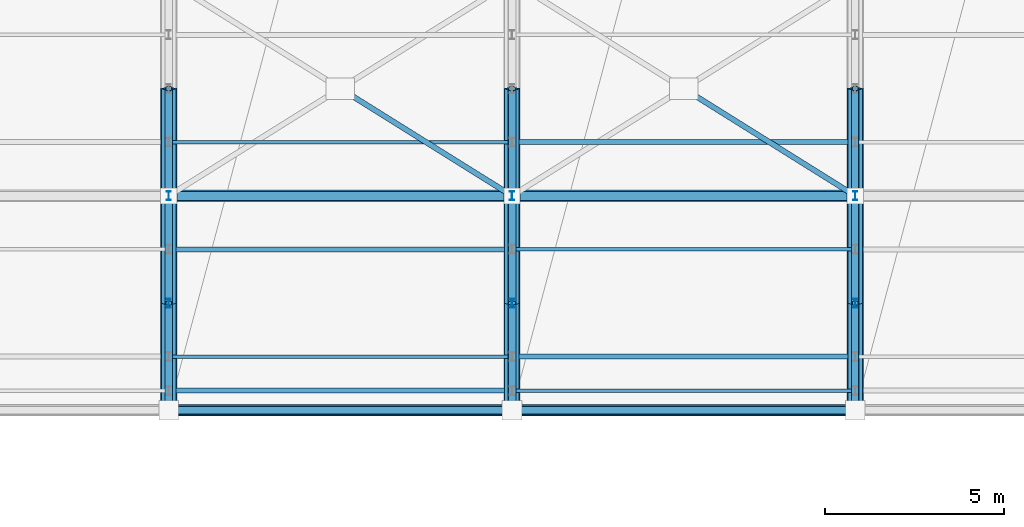
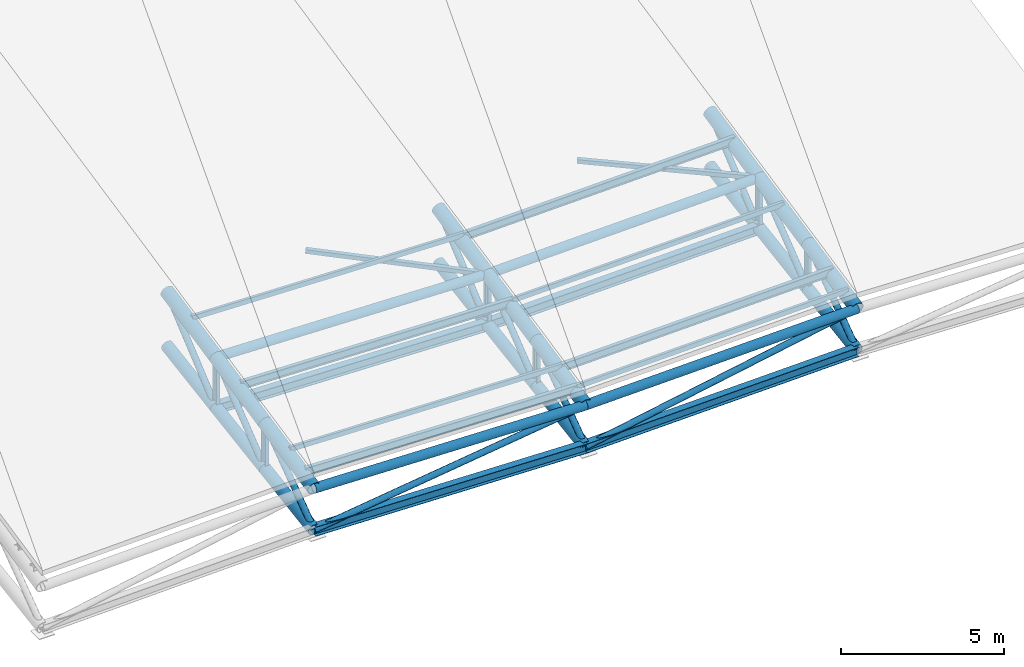
# One storey, part 36 of 109: 35 members, 18 beams.
"""IFC4 building model written with IfcOpenShell, lengths in metres."""

from ifc_helpers import new_model, si_unit, direction, frame, origin, origin_2d, place, context, subcontext, project, spatial, hollow_rectangle, hollow_circle, i_section, extrude, material, material_profile, profile_set, type_object, element, save


model = new_model("IFC4")

# Units and contexts
model_context = context("Model", 3, precision=1e-05, world=origin(), true_north=direction((0.0, 1.0)))
body_context = subcontext(model_context, "Body", "Model", "MODEL_VIEW")
ifc_project = project(units=[si_unit("LENGTHUNIT", "METRE"), si_unit("AREAUNIT", "SQUARE_METRE"), si_unit("VOLUMEUNIT", "CUBIC_METRE"), si_unit("PLANEANGLEUNIT", "RADIAN"), si_unit("MASSUNIT", "GRAM", prefix="KILO")], contexts=[model_context])

# Site, building, storey
site_placement = place(None, origin())
site = spatial("IfcSite", under=ifc_project, at=site_placement, CompositionType="ELEMENT")
building_placement = place(site_placement, origin())
building = spatial("IfcBuilding", under=site, at=building_placement, Name="Suirenkawa Promenade Aquatics Centre", CompositionType="ELEMENT")
storey_placement = place(building_placement, frame((0.0, 0.0, 22.800048828125)))
storey = spatial("IfcBuildingStorey", under=building, at=storey_placement, Name="ROOF", CompositionType="ELEMENT", Elevation=22.800048828125)

# Beams
ifc_material = material(Name="Steel IS 2062 E350 (Grade 350)", Category="steel")
ifc_material_profile_1 = material_profile(ifc_material, hollow_circle(Radius=0.202880859375, WallThickness=0.01806640625, at=origin_2d()), Name="CHS 406x18", Category="steel")
ifc_profile_set_1 = profile_set([ifc_material_profile_1], Name="Steel IS 2062 E350 (Grade 350)")
beam_type_1 = type_object("IfcBeamType", Name="BT-BC-CHS406", PredefinedType="BEAM", material=ifc_profile_set_1)
beam_1_placement = place(storey_placement, frame((165.60009765625, 50.39990234375, -10.330078125), z_axis=(0.0, 0.988146576735, 0.153513331298), x_axis=(-1.0, 0.0, 0.0)))
element("IfcBeam", 1, at=beam_1_placement, inside=storey, type_object=beam_type_1, Name="ROOF TRUSS V2 bottom chord BC-01 BM-2432", PredefinedType="BEAM", context=body_context, shape_type="SweptSolid", body=[
    extrude(hollow_circle(Radius=0.202880859375, WallThickness=0.01806640625, at=origin_2d()), origin(), (0.0, 0.0, 1.0), 3.035888671875),
])
beam_2_placement = place(storey_placement, frame((165.60009765625, 53.39990234375, -9.864013671875), z_axis=(0.0, 0.987852103285, 0.155396982068), x_axis=(-1.0, 0.0, 0.0)))
element("IfcBeam", 2, at=beam_2_placement, inside=storey, type_object=beam_type_1, Name="ROOF TRUSS V2 bottom chord BC-01 BM-2434", PredefinedType="BEAM", context=body_context, shape_type="SweptSolid", body=[
    extrude(hollow_circle(Radius=0.202880859375, WallThickness=0.01806640625, at=origin_2d()), origin(), (0.0, 0.0, 1.0), 3.036865234375),
])
beam_3_placement = place(storey_placement, frame((165.60009765625, 56.39990234375, -9.39208984375), z_axis=(0.0, 0.987278169946, 0.15900256334), x_axis=(-1.0, 0.0, 0.0)))
element("IfcBeam", 3, at=beam_3_placement, inside=storey, type_object=beam_type_1, Name="ROOF TRUSS V2 bottom chord BC-01 BM-2436", PredefinedType="BEAM", context=body_context, shape_type="SweptSolid", body=[
    extrude(hollow_circle(Radius=0.202880859375, WallThickness=0.01806640625, at=origin_2d()), origin(), (0.0, 0.0, 1.0), 3.03857421875),
])
beam_4_placement = place(storey_placement, frame((175.199951171875, 50.39990234375, -10.580078125), z_axis=(0.0, 0.988146576735, 0.153513331298), x_axis=(-1.0, 0.0, 0.0)))
element("IfcBeam", 4, at=beam_4_placement, inside=storey, type_object=beam_type_1, Name="ROOF TRUSS V2 bottom chord BC-01 BM-2468", PredefinedType="BEAM", context=body_context, shape_type="SweptSolid", body=[
    extrude(hollow_circle(Radius=0.202880859375, WallThickness=0.01806640625, at=origin_2d()), origin(), (0.0, 0.0, 1.0), 3.035888671875),
])
beam_5_placement = place(storey_placement, frame((175.199951171875, 53.39990234375, -10.114013671875), z_axis=(0.0, 0.987852103285, 0.155396982068), x_axis=(-1.0, 0.0, 0.0)))
element("IfcBeam", 5, at=beam_5_placement, inside=storey, type_object=beam_type_1, Name="ROOF TRUSS V2 bottom chord BC-01 BM-2470", PredefinedType="BEAM", context=body_context, shape_type="SweptSolid", body=[
    extrude(hollow_circle(Radius=0.202880859375, WallThickness=0.01806640625, at=origin_2d()), origin(), (0.0, 0.0, 1.0), 3.036865234375),
])
beam_6_placement = place(storey_placement, frame((175.199951171875, 56.39990234375, -9.64208984375), z_axis=(0.0, 0.987278169946, 0.15900256334), x_axis=(-1.0, 0.0, 0.0)))
element("IfcBeam", 6, at=beam_6_placement, inside=storey, type_object=beam_type_1, Name="ROOF TRUSS V2 bottom chord BC-01 BM-2472", PredefinedType="BEAM", context=body_context, shape_type="SweptSolid", body=[
    extrude(hollow_circle(Radius=0.202880859375, WallThickness=0.01806640625, at=origin_2d()), origin(), (0.0, 0.0, 1.0), 3.03857421875),
])
beam_7_placement = place(storey_placement, frame((184.800048828125, 50.39990234375, -10.330078125), z_axis=(0.0, 0.988146576735, 0.153513331298), x_axis=(-1.0, 0.0, 0.0)))
element("IfcBeam", 7, at=beam_7_placement, inside=storey, type_object=beam_type_1, Name="ROOF TRUSS V2 bottom chord BC-01 BM-2504", PredefinedType="BEAM", context=body_context, shape_type="SweptSolid", body=[
    extrude(hollow_circle(Radius=0.202880859375, WallThickness=0.01806640625, at=origin_2d()), origin(), (0.0, 0.0, 1.0), 3.035888671875),
])
beam_8_placement = place(storey_placement, frame((184.800048828125, 53.39990234375, -9.864013671875), z_axis=(0.0, 0.987852103285, 0.155396982068), x_axis=(-1.0, 0.0, 0.0)))
element("IfcBeam", 8, at=beam_8_placement, inside=storey, type_object=beam_type_1, Name="ROOF TRUSS V2 bottom chord BC-01 BM-2506", PredefinedType="BEAM", context=body_context, shape_type="SweptSolid", body=[
    extrude(hollow_circle(Radius=0.202880859375, WallThickness=0.01806640625, at=origin_2d()), origin(), (0.0, 0.0, 1.0), 3.036865234375),
])
beam_9_placement = place(storey_placement, frame((184.800048828125, 56.39990234375, -9.39208984375), z_axis=(0.0, 0.987278169946, 0.15900256334), x_axis=(-1.0, 0.0, 0.0)))
element("IfcBeam", 9, at=beam_9_placement, inside=storey, type_object=beam_type_1, Name="ROOF TRUSS V2 bottom chord BC-01 BM-2508", PredefinedType="BEAM", context=body_context, shape_type="SweptSolid", body=[
    extrude(hollow_circle(Radius=0.202880859375, WallThickness=0.01806640625, at=origin_2d()), origin(), (0.0, 0.0, 1.0), 3.03857421875),
])
ifc_material_profile_2 = material_profile(ifc_material, hollow_circle(Radius=0.22900390625, WallThickness=0.02001953125, at=origin_2d()), Name="CHS 458x20", Category="steel")
ifc_profile_set_2 = profile_set([ifc_material_profile_2], Name="Steel IS 2062 E350 (Grade 350)")
beam_type_2 = type_object("IfcBeamType", Name="BT-TC-CHS458", PredefinedType="BEAM", material=ifc_profile_set_2)
for number, where, z_axis, x_axis, name in (
    (10, (165.60009765625, 50.39990234375, -8.780029296875), (0.0, 0.978452518953, 0.206471954886), (-1.0, 0.0, 0.0), "ROOF TRUSS V2 top chord TC-01 BM-2431"),
    (11, (165.60009765625, 53.39990234375, -8.14697265625), (0.0, 0.978388130003, 0.206776853322), (-1.0, 0.0, 0.0), "ROOF TRUSS V2 top chord TC-01 BM-2433"),
):
    element("IfcBeam", number, at=place(storey_placement, frame(where, z_axis=z_axis, x_axis=x_axis)), inside=storey, type_object=beam_type_2, Name=name, PredefinedType="BEAM", context=body_context, shape_type="SweptSolid", body=[
        extrude(hollow_circle(Radius=0.22900390625, WallThickness=0.02001953125, at=origin_2d()), origin(), (0.0, 0.0, 1.0), 3.066162109375),
    ])
beam_10_placement = place(storey_placement, frame((165.60009765625, 56.39990234375, -7.512939453125), z_axis=(0.0, 0.978468602667, 0.206395720875), x_axis=(-1.0, 0.0, 0.0)))
element("IfcBeam", 12, at=beam_10_placement, inside=storey, type_object=beam_type_2, Name="ROOF TRUSS V2 top chord TC-01 BM-2435", PredefinedType="BEAM", context=body_context, shape_type="SweptSolid", body=[
    extrude(hollow_circle(Radius=0.22900390625, WallThickness=0.02001953125, at=origin_2d()), origin(), (0.0, 0.0, 1.0), 3.06591796875),
])
for number, where, z_axis, x_axis, name in (
    (13, (175.199951171875, 50.39990234375, -9.030029296875), (0.0, 0.978452518953, 0.206471954886), (-1.0, 0.0, 0.0), "ROOF TRUSS V2 top chord TC-01 BM-2467"),
    (14, (175.199951171875, 53.39990234375, -8.39697265625), (0.0, 0.978388130003, 0.206776853322), (-1.0, 0.0, 0.0), "ROOF TRUSS V2 top chord TC-01 BM-2469"),
):
    element("IfcBeam", number, at=place(storey_placement, frame(where, z_axis=z_axis, x_axis=x_axis)), inside=storey, type_object=beam_type_2, Name=name, PredefinedType="BEAM", context=body_context, shape_type="SweptSolid", body=[
        extrude(hollow_circle(Radius=0.22900390625, WallThickness=0.02001953125, at=origin_2d()), origin(), (0.0, 0.0, 1.0), 3.066162109375),
    ])
beam_11_placement = place(storey_placement, frame((175.199951171875, 56.39990234375, -7.762939453125), z_axis=(0.0, 0.978468602667, 0.206395720875), x_axis=(-1.0, 0.0, 0.0)))
element("IfcBeam", 15, at=beam_11_placement, inside=storey, type_object=beam_type_2, Name="ROOF TRUSS V2 top chord TC-01 BM-2471", PredefinedType="BEAM", context=body_context, shape_type="SweptSolid", body=[
    extrude(hollow_circle(Radius=0.22900390625, WallThickness=0.02001953125, at=origin_2d()), origin(), (0.0, 0.0, 1.0), 3.06591796875),
])
for number, where, z_axis, x_axis, name in (
    (16, (184.800048828125, 50.39990234375, -8.780029296875), (0.0, 0.978452518953, 0.206471954886), (-1.0, 0.0, 0.0), "ROOF TRUSS V2 top chord TC-01 BM-2503"),
    (17, (184.800048828125, 53.39990234375, -8.14697265625), (0.0, 0.978388130003, 0.206776853322), (-1.0, 0.0, 0.0), "ROOF TRUSS V2 top chord TC-01 BM-2505"),
):
    element("IfcBeam", number, at=place(storey_placement, frame(where, z_axis=z_axis, x_axis=x_axis)), inside=storey, type_object=beam_type_2, Name=name, PredefinedType="BEAM", context=body_context, shape_type="SweptSolid", body=[
        extrude(hollow_circle(Radius=0.22900390625, WallThickness=0.02001953125, at=origin_2d()), origin(), (0.0, 0.0, 1.0), 3.066162109375),
    ])
beam_12_placement = place(storey_placement, frame((184.800048828125, 56.39990234375, -7.512939453125), z_axis=(0.0, 0.978468602667, 0.206395720875), x_axis=(-1.0, 0.0, 0.0)))
element("IfcBeam", 18, at=beam_12_placement, inside=storey, type_object=beam_type_2, Name="ROOF TRUSS V2 top chord TC-01 BM-2507", PredefinedType="BEAM", context=body_context, shape_type="SweptSolid", body=[
    extrude(hollow_circle(Radius=0.22900390625, WallThickness=0.02001953125, at=origin_2d()), origin(), (0.0, 0.0, 1.0), 3.06591796875),
])

# Members
ifc_material_profile_3 = material_profile(ifc_material, hollow_rectangle(XDim=0.14990234375, YDim=0.14990234375, WallThickness=0.008056640625, at=origin_2d()), Name="SHS 150x150x8", Category="steel")
ifc_profile_set_3 = profile_set([ifc_material_profile_3], Name="Steel IS 2062 E350 (Grade 350)")
member_type_1 = type_object("IfcMemberType", Name="MT-BRACE-SHS150", PredefinedType="BRACE", material=ifc_profile_set_3)
member_1_placement = place(storey_placement, frame((175.199951171875, 56.39990234375, -7.762939453125), z_axis=(-0.840537967888, 0.525238593873, 0.132741643974), x_axis=(-0.529928101095, -0.848042574208, 0.0)))
element("IfcMember", 19, at=member_1_placement, inside=storey, type_object=member_type_1, Name="ROOF TRUSS V2 split plan brace A BF-02 MB-1235", PredefinedType="BRACE", context=body_context, shape_type="SweptSolid", body=[
    extrude(hollow_rectangle(XDim=0.14990234375, YDim=0.14990234375, WallThickness=0.008056640625, at=origin_2d()), origin(), (0.0, 0.0, 1.0), 5.626220703125),
])
member_2_placement = place(storey_placement, frame((184.800048828125, 56.39990234375, -7.512939453125), z_axis=(-0.844604024784, 0.527888418671, 0.08931886), x_axis=(-0.530006811934, -0.847993383998, 0.0)))
element("IfcMember", 20, at=member_2_placement, inside=storey, type_object=member_type_1, Name="ROOF TRUSS V2 split plan brace A BF-02 MB-1256", PredefinedType="BRACE", context=body_context, shape_type="SweptSolid", body=[
    extrude(hollow_rectangle(XDim=0.14990234375, YDim=0.14990234375, WallThickness=0.008056640625, at=origin_2d()), origin(), (0.0, 0.0, 1.0), 5.597900390625),
])
ifc_material_profile_4 = material_profile(ifc_material, hollow_circle(Radius=0.162109375, WallThickness=0.013916015625, at=origin_2d()), Name="CHS 324x14", Category="steel")
ifc_profile_set_4 = profile_set([ifc_material_profile_4], Name="Steel IS 2062 E350 (Grade 350)")
member_type_2 = type_object("IfcMemberType", Name="MT-CHORD-CHS324", PredefinedType="CHORD", material=ifc_profile_set_4)
member_3_placement = place(storey_placement, frame((165.60009765625, 50.39990234375, -8.780029296875), z_axis=(0.999661077831, 0.0, -0.026033237804), x_axis=(0.0, 1.0, 0.0)))
element("IfcMember", 21, at=member_3_placement, inside=storey, type_object=member_type_2, Name="ROOF TRUSS V2 eave top chord CH-01 MB-1149", PredefinedType="CHORD", context=body_context, shape_type="SweptSolid", body=[
    extrude(hollow_circle(Radius=0.162109375, WallThickness=0.013916015625, at=origin_2d()), origin(), (0.0, 0.0, 1.0), 9.60302734375),
])
member_4_placement = place(storey_placement, frame((175.199951171875, 50.39990234375, -9.030029296875), z_axis=(0.99966109506, 0.0, 0.0260325762), x_axis=(0.0, 1.0, 0.0)))
element("IfcMember", 22, at=member_4_placement, inside=storey, type_object=member_type_2, Name="ROOF TRUSS V2 eave top chord CH-01 MB-1152", PredefinedType="CHORD", context=body_context, shape_type="SweptSolid", body=[
    extrude(hollow_circle(Radius=0.162109375, WallThickness=0.013916015625, at=origin_2d()), origin(), (0.0, 0.0, 1.0), 9.603271484375),
])
member_5_placement = place(storey_placement, frame((165.60009765625, 56.39990234375, -7.512939453125), z_axis=(0.999661077831, 0.0, -0.026033237804), x_axis=(0.0, 1.0, 0.0)))
element("IfcMember", 23, at=member_5_placement, inside=storey, type_object=member_type_2, Name="ROOF TRUSS V2 tie chord CH-01 MB-1172", PredefinedType="CHORD", context=body_context, shape_type="SweptSolid", body=[
    extrude(hollow_circle(Radius=0.162109375, WallThickness=0.013916015625, at=origin_2d()), origin(), (0.0, 0.0, 1.0), 9.60302734375),
])
member_6_placement = place(storey_placement, frame((175.199951171875, 56.39990234375, -7.762939453125), z_axis=(0.99966109506, 0.0, 0.0260325762), x_axis=(0.0, 1.0, 0.0)))
element("IfcMember", 24, at=member_6_placement, inside=storey, type_object=member_type_2, Name="ROOF TRUSS V2 tie chord CH-01 MB-1174", PredefinedType="CHORD", context=body_context, shape_type="SweptSolid", body=[
    extrude(hollow_circle(Radius=0.162109375, WallThickness=0.013916015625, at=origin_2d()), origin(), (0.0, 0.0, 1.0), 9.603271484375),
])
ifc_material_profile_5 = material_profile(ifc_material, i_section(OverallWidth=0.25, OverallDepth=0.35009765625, WebThickness=0.010009765625, FlangeThickness=0.011962890625, at=origin_2d()), Name="ISHB 350", Category="steel")
ifc_profile_set_5 = profile_set([ifc_material_profile_5], Name="Steel IS 2062 E350 (Grade 350)")
member_type_3 = type_object("IfcMemberType", Name="MT-CHORD-ISHB350", PredefinedType="CHORD", material=ifc_profile_set_5)
member_7_placement = place(storey_placement, frame((165.60009765625, 50.39990234375, -10.330078125), z_axis=(0.999661077831, 0.0, -0.026033237804), x_axis=(0.0, 1.0, 0.0)))
element("IfcMember", 25, at=member_7_placement, inside=storey, type_object=member_type_3, Name="ROOF TRUSS V2 eave bottom chord CH-04 MB-1150", PredefinedType="CHORD", context=body_context, shape_type="SweptSolid", body=[
    extrude(i_section(OverallWidth=0.25, OverallDepth=0.35009765625, WebThickness=0.010009765625, FlangeThickness=0.011962890625, at=origin_2d()), origin(), (0.0, 0.0, 1.0), 9.60302734375),
])
member_8_placement = place(storey_placement, frame((175.199951171875, 50.39990234375, -10.580078125), z_axis=(0.99966109506, 0.0, 0.0260325762), x_axis=(0.0, 1.0, 0.0)))
element("IfcMember", 26, at=member_8_placement, inside=storey, type_object=member_type_3, Name="ROOF TRUSS V2 eave bottom chord CH-04 MB-1153", PredefinedType="CHORD", context=body_context, shape_type="SweptSolid", body=[
    extrude(i_section(OverallWidth=0.25, OverallDepth=0.35009765625, WebThickness=0.010009765625, FlangeThickness=0.011962890625, at=origin_2d()), origin(), (0.0, 0.0, 1.0), 9.603271484375),
])
member_9_placement = place(storey_placement, frame((165.60009765625, 56.39990234375, -9.39208984375), z_axis=(0.999661077831, 0.0, -0.026033237804), x_axis=(0.0, 1.0, 0.0)))
element("IfcMember", 27, at=member_9_placement, inside=storey, type_object=member_type_3, Name="ROOF TRUSS V2 bottom tie CH-04 MB-1173", PredefinedType="CHORD", context=body_context, shape_type="SweptSolid", body=[
    extrude(i_section(OverallWidth=0.25, OverallDepth=0.35009765625, WebThickness=0.010009765625, FlangeThickness=0.011962890625, at=origin_2d()), origin(), (0.0, 0.0, 1.0), 9.60302734375),
])
member_10_placement = place(storey_placement, frame((175.199951171875, 56.39990234375, -9.64208984375), z_axis=(0.99966109506, 0.0, 0.0260325762), x_axis=(0.0, 1.0, 0.0)))
element("IfcMember", 28, at=member_10_placement, inside=storey, type_object=member_type_3, Name="ROOF TRUSS V2 bottom tie CH-04 MB-1175", PredefinedType="CHORD", context=body_context, shape_type="SweptSolid", body=[
    extrude(i_section(OverallWidth=0.25, OverallDepth=0.35009765625, WebThickness=0.010009765625, FlangeThickness=0.011962890625, at=origin_2d()), origin(), (0.0, 0.0, 1.0), 9.603271484375),
])
ifc_material_profile_6 = material_profile(ifc_material, i_section(OverallWidth=0.139892578125, OverallDepth=0.300048828125, WebThickness=0.008056640625, FlangeThickness=0.012939453125, at=origin_2d()), Name="ISMB 300", Category="steel")
ifc_profile_set_6 = profile_set([ifc_material_profile_6], Name="Steel IS 2062 E350 (Grade 350)")
member_type_4 = type_object("IfcMemberType", Name="MT-PURLIN-ISMB300", PredefinedType="PURLIN", material=ifc_profile_set_6)
for number, where, z_axis, x_axis, name in (
    (29, (165.60009765625, 50.949951171875, -8.47802734375), (0.999661077831, 0.0, -0.026033237804), (0.0, 1.0, 0.0), "ROOF TRUSS Roof purlin PU-05 MB-2473"),
    (30, (165.60009765625, 54.89990234375, -7.64404296875), (0.999661077831, 0.0, -0.026033237804), (0.0, 1.0, 0.0), "ROOF TRUSS Roof purlin PU-05 MB-2477"),
):
    element("IfcMember", number, at=place(storey_placement, frame(where, z_axis=z_axis, x_axis=x_axis)), inside=storey, type_object=member_type_4, Name=name, PredefinedType="PURLIN", context=body_context, shape_type="SweptSolid", body=[
        extrude(i_section(OverallWidth=0.139892578125, OverallDepth=0.300048828125, WebThickness=0.008056640625, FlangeThickness=0.012939453125, at=origin_2d()), origin(), (0.0, 0.0, 1.0), 9.60302734375),
    ])
for number, where, z_axis, x_axis, name in (
    (31, (175.199951171875, 51.89990234375, -8.527099609375), (0.99966109506, 0.0, 0.0260325762), (0.0, 1.0, 0.0), "ROOF TRUSS Roof purlin PU-05 MB-2519"),
    (32, (175.199951171875, 57.89990234375, -7.260009765625), (0.99966109506, 0.0, 0.0260325762), (0.0, 1.0, 0.0), "ROOF TRUSS Roof purlin PU-05 MB-2523"),
):
    element("IfcMember", number, at=place(storey_placement, frame(where, z_axis=z_axis, x_axis=x_axis)), inside=storey, type_object=member_type_4, Name=name, PredefinedType="PURLIN", context=body_context, shape_type="SweptSolid", body=[
        extrude(i_section(OverallWidth=0.139892578125, OverallDepth=0.300048828125, WebThickness=0.008056640625, FlangeThickness=0.012939453125, at=origin_2d()), origin(), (0.0, 0.0, 1.0), 9.603271484375),
    ])
ifc_material_profile_7 = material_profile(ifc_material, hollow_rectangle(XDim=0.10009765625, YDim=0.179931640625, WallThickness=0.008056640625, at=origin_2d()), Name="RHS 180x100x8", Category="steel")
ifc_profile_set_7 = profile_set([ifc_material_profile_7], Name="Steel IS 2062 E350 (Grade 350)")
member_type_5 = type_object("IfcMemberType", Name="MT-PURLIN-RHS180", PredefinedType="PURLIN", material=ifc_profile_set_7)
for number, where, z_axis, x_axis, name in (
    (33, (165.60009765625, 51.89990234375, -8.213134765625), (0.999661077831, 0.0, -0.026033237804), (0.0, 1.0, 0.0), "ROOF TRUSS Roof purlin PU-01 MB-2475"),
    (34, (165.60009765625, 57.89990234375, -6.946044921875), (0.999661077831, 0.0, -0.026033237804), (0.0, 1.0, 0.0), "ROOF TRUSS Roof purlin PU-01 MB-2479"),
):
    element("IfcMember", number, at=place(storey_placement, frame(where, z_axis=z_axis, x_axis=x_axis)), inside=storey, type_object=member_type_5, Name=name, PredefinedType="PURLIN", context=body_context, shape_type="SweptSolid", body=[
        extrude(hollow_rectangle(XDim=0.10009765625, YDim=0.179931640625, WallThickness=0.008056640625, at=origin_2d()), origin(), (0.0, 0.0, 1.0), 9.60302734375),
    ])
for number, where, z_axis, x_axis, name in (
    (35, (175.199951171875, 50.949951171875, -8.6630859375), (0.99966109506, 0.0, 0.0260325762), (0.0, 1.0, 0.0), "ROOF TRUSS Roof purlin PU-01 MB-2517"),
    (36, (175.199951171875, 54.89990234375, -7.8291015625), (0.99966109506, 0.0, 0.0260325762), (0.0, 1.0, 0.0), "ROOF TRUSS Roof purlin PU-01 MB-2521"),
):
    element("IfcMember", number, at=place(storey_placement, frame(where, z_axis=z_axis, x_axis=x_axis)), inside=storey, type_object=member_type_5, Name=name, PredefinedType="PURLIN", context=body_context, shape_type="SweptSolid", body=[
        extrude(hollow_rectangle(XDim=0.10009765625, YDim=0.179931640625, WallThickness=0.008056640625, at=origin_2d()), origin(), (0.0, 0.0, 1.0), 9.603271484375),
    ])
ifc_material_profile_8 = material_profile(ifc_material, i_section(OverallWidth=0.125, OverallDepth=0.25, WebThickness=0.007080078125, FlangeThickness=0.012939453125, at=origin_2d()), Name="ISMB 250", Category="steel")
ifc_profile_set_8 = profile_set([ifc_material_profile_8], Name="Steel IS 2062 E350 (Grade 350)")
member_type_6 = type_object("IfcMemberType", Name="MT-WEB-CHS168", PredefinedType="BRACE", material=ifc_profile_set_8)
member_11_placement = place(storey_placement, frame((165.60009765625, 53.39990234375, -9.864013671875), z_axis=(0.0, 0.0, 1.0), x_axis=(1.0, 0.0, 0.0)))
element("IfcMember", 37, at=member_11_placement, inside=storey, type_object=member_type_6, Name="ROOF TRUSS V2 web post TD-03 MB-1024", PredefinedType="BRACE", context=body_context, shape_type="SweptSolid", body=[
    extrude(i_section(OverallWidth=0.125, OverallDepth=0.25, WebThickness=0.007080078125, FlangeThickness=0.012939453125, at=origin_2d()), origin(), (0.0, 0.0, 1.0), 1.717041015625),
])
member_12_placement = place(storey_placement, frame((165.60009765625, 56.39990234375, -9.39208984375), z_axis=(0.0, 0.0, 1.0), x_axis=(1.0, 0.0, 0.0)))
element("IfcMember", 38, at=member_12_placement, inside=storey, type_object=member_type_6, Name="ROOF TRUSS V2 web post TD-03 MB-1025", PredefinedType="BRACE", context=body_context, shape_type="SweptSolid", body=[
    extrude(i_section(OverallWidth=0.125, OverallDepth=0.25, WebThickness=0.007080078125, FlangeThickness=0.012939453125, at=origin_2d()), origin(), (0.0, 0.0, 1.0), 1.879150390625),
])
member_13_placement = place(storey_placement, frame((175.199951171875, 53.39990234375, -10.114013671875), z_axis=(0.0, 0.0, 1.0), x_axis=(1.0, 0.0, 0.0)))
element("IfcMember", 39, at=member_13_placement, inside=storey, type_object=member_type_6, Name="ROOF TRUSS V2 web post TD-03 MB-1059", PredefinedType="BRACE", context=body_context, shape_type="SweptSolid", body=[
    extrude(i_section(OverallWidth=0.125, OverallDepth=0.25, WebThickness=0.007080078125, FlangeThickness=0.012939453125, at=origin_2d()), origin(), (0.0, 0.0, 1.0), 1.717041015625),
])
member_14_placement = place(storey_placement, frame((175.199951171875, 56.39990234375, -9.64208984375), z_axis=(0.0, 0.0, 1.0), x_axis=(1.0, 0.0, 0.0)))
element("IfcMember", 40, at=member_14_placement, inside=storey, type_object=member_type_6, Name="ROOF TRUSS V2 web post TD-03 MB-1060", PredefinedType="BRACE", context=body_context, shape_type="SweptSolid", body=[
    extrude(i_section(OverallWidth=0.125, OverallDepth=0.25, WebThickness=0.007080078125, FlangeThickness=0.012939453125, at=origin_2d()), origin(), (0.0, 0.0, 1.0), 1.879150390625),
])
member_15_placement = place(storey_placement, frame((184.800048828125, 53.39990234375, -9.864013671875), z_axis=(0.0, 0.0, 1.0), x_axis=(1.0, 0.0, 0.0)))
element("IfcMember", 41, at=member_15_placement, inside=storey, type_object=member_type_6, Name="ROOF TRUSS V2 web post TD-03 MB-1094", PredefinedType="BRACE", context=body_context, shape_type="SweptSolid", body=[
    extrude(i_section(OverallWidth=0.125, OverallDepth=0.25, WebThickness=0.007080078125, FlangeThickness=0.012939453125, at=origin_2d()), origin(), (0.0, 0.0, 1.0), 1.717041015625),
])
member_16_placement = place(storey_placement, frame((184.800048828125, 56.39990234375, -9.39208984375), z_axis=(0.0, 0.0, 1.0), x_axis=(1.0, 0.0, 0.0)))
element("IfcMember", 42, at=member_16_placement, inside=storey, type_object=member_type_6, Name="ROOF TRUSS V2 web post TD-03 MB-1095", PredefinedType="BRACE", context=body_context, shape_type="SweptSolid", body=[
    extrude(i_section(OverallWidth=0.125, OverallDepth=0.25, WebThickness=0.007080078125, FlangeThickness=0.012939453125, at=origin_2d()), origin(), (0.0, 0.0, 1.0), 1.879150390625),
])
ifc_material_profile_9 = material_profile(ifc_material, hollow_circle(Radius=0.110107421875, WallThickness=0.010009765625, at=origin_2d()), Name="CHS 220x10", Category="steel")
ifc_profile_set_9 = profile_set([ifc_material_profile_9], Name="Steel IS 2062 E350 (Grade 350)")
member_type_7 = type_object("IfcMemberType", Name="MT-WEB-CHS220", PredefinedType="BRACE", material=ifc_profile_set_9)
member_17_placement = place(storey_placement, frame((165.60009765625, 50.39990234375, -10.330078125), z_axis=(0.0, 0.808571014745, 0.588398601387), x_axis=(-1.0, 0.0, 0.0)))
element("IfcMember", 43, at=member_17_placement, inside=storey, type_object=member_type_7, Name="ROOF TRUSS V2 web diagonal TD-01 MB-1006", PredefinedType="BRACE", context=body_context, shape_type="SweptSolid", body=[
    extrude(hollow_circle(Radius=0.110107421875, WallThickness=0.010009765625, at=origin_2d()), origin(), (0.0, 0.0, 1.0), 3.710205078125),
])
member_18_placement = place(storey_placement, frame((165.60009765625, 53.39990234375, -9.864013671875), z_axis=(0.0, 0.787091215827, 0.616836621779), x_axis=(-1.0, 0.0, 0.0)))
element("IfcMember", 44, at=member_18_placement, inside=storey, type_object=member_type_7, Name="ROOF TRUSS V2 web diagonal TD-01 MB-1007", PredefinedType="BRACE", context=body_context, shape_type="SweptSolid", body=[
    extrude(hollow_circle(Radius=0.110107421875, WallThickness=0.010009765625, at=origin_2d()), origin(), (0.0, 0.0, 1.0), 3.8115234375),
])
member_19_placement = place(storey_placement, frame((165.60009765625, 56.39990234375, -9.39208984375), z_axis=(0.0, 0.766715532079, 0.641986988083), x_axis=(-1.0, 0.0, 0.0)))
element("IfcMember", 45, at=member_19_placement, inside=storey, type_object=member_type_7, Name="ROOF TRUSS V2 web diagonal TD-01 MB-1008", PredefinedType="BRACE", context=body_context, shape_type="SweptSolid", body=[
    extrude(hollow_circle(Radius=0.110107421875, WallThickness=0.010009765625, at=origin_2d()), origin(), (0.0, 0.0, 1.0), 3.912841796875),
])
member_20_placement = place(storey_placement, frame((175.199951171875, 50.39990234375, -10.580078125), z_axis=(0.0, 0.808571014745, 0.588398601387), x_axis=(-1.0, 0.0, 0.0)))
element("IfcMember", 46, at=member_20_placement, inside=storey, type_object=member_type_7, Name="ROOF TRUSS V2 web diagonal TD-01 MB-1041", PredefinedType="BRACE", context=body_context, shape_type="SweptSolid", body=[
    extrude(hollow_circle(Radius=0.110107421875, WallThickness=0.010009765625, at=origin_2d()), origin(), (0.0, 0.0, 1.0), 3.710205078125),
])
member_21_placement = place(storey_placement, frame((175.199951171875, 53.39990234375, -10.114013671875), z_axis=(0.0, 0.787091215827, 0.616836621779), x_axis=(-1.0, 0.0, 0.0)))
element("IfcMember", 47, at=member_21_placement, inside=storey, type_object=member_type_7, Name="ROOF TRUSS V2 web diagonal TD-01 MB-1042", PredefinedType="BRACE", context=body_context, shape_type="SweptSolid", body=[
    extrude(hollow_circle(Radius=0.110107421875, WallThickness=0.010009765625, at=origin_2d()), origin(), (0.0, 0.0, 1.0), 3.8115234375),
])
member_22_placement = place(storey_placement, frame((175.199951171875, 56.39990234375, -9.64208984375), z_axis=(0.0, 0.766715532079, 0.641986988083), x_axis=(-1.0, 0.0, 0.0)))
element("IfcMember", 48, at=member_22_placement, inside=storey, type_object=member_type_7, Name="ROOF TRUSS V2 web diagonal TD-01 MB-1043", PredefinedType="BRACE", context=body_context, shape_type="SweptSolid", body=[
    extrude(hollow_circle(Radius=0.110107421875, WallThickness=0.010009765625, at=origin_2d()), origin(), (0.0, 0.0, 1.0), 3.912841796875),
])
member_23_placement = place(storey_placement, frame((184.800048828125, 50.39990234375, -10.330078125), z_axis=(0.0, 0.808571014745, 0.588398601387), x_axis=(-1.0, 0.0, 0.0)))
element("IfcMember", 49, at=member_23_placement, inside=storey, type_object=member_type_7, Name="ROOF TRUSS V2 web diagonal TD-01 MB-1076", PredefinedType="BRACE", context=body_context, shape_type="SweptSolid", body=[
    extrude(hollow_circle(Radius=0.110107421875, WallThickness=0.010009765625, at=origin_2d()), origin(), (0.0, 0.0, 1.0), 3.710205078125),
])
member_24_placement = place(storey_placement, frame((184.800048828125, 53.39990234375, -9.864013671875), z_axis=(0.0, 0.787091215827, 0.616836621779), x_axis=(-1.0, 0.0, 0.0)))
element("IfcMember", 50, at=member_24_placement, inside=storey, type_object=member_type_7, Name="ROOF TRUSS V2 web diagonal TD-01 MB-1077", PredefinedType="BRACE", context=body_context, shape_type="SweptSolid", body=[
    extrude(hollow_circle(Radius=0.110107421875, WallThickness=0.010009765625, at=origin_2d()), origin(), (0.0, 0.0, 1.0), 3.8115234375),
])
member_25_placement = place(storey_placement, frame((184.800048828125, 56.39990234375, -9.39208984375), z_axis=(0.0, 0.766715532079, 0.641986988083), x_axis=(-1.0, 0.0, 0.0)))
element("IfcMember", 51, at=member_25_placement, inside=storey, type_object=member_type_7, Name="ROOF TRUSS V2 web diagonal TD-01 MB-1078", PredefinedType="BRACE", context=body_context, shape_type="SweptSolid", body=[
    extrude(hollow_circle(Radius=0.110107421875, WallThickness=0.010009765625, at=origin_2d()), origin(), (0.0, 0.0, 1.0), 3.912841796875),
])
member_26_placement = place(storey_placement, frame((165.60009765625, 50.39990234375, -10.330078125), z_axis=(0.990954425391, 0.0, 0.134198833072), x_axis=(0.0, 1.0, 0.0)))
element("IfcMember", 52, at=member_26_placement, inside=storey, type_object=member_type_7, Name="ROOF TRUSS V2 eave web diagonal TD-01 MB-1151", PredefinedType="BRACE", context=body_context, shape_type="SweptSolid", body=[
    extrude(hollow_circle(Radius=0.110107421875, WallThickness=0.010009765625, at=origin_2d()), origin(), (0.0, 0.0, 1.0), 9.6875),
])
member_27_placement = place(storey_placement, frame((175.199951171875, 50.39990234375, -10.580078125), z_axis=(0.982871620995, 0.0, 0.184291553369), x_axis=(0.0, 1.0, 0.0)))
element("IfcMember", 53, at=member_27_placement, inside=storey, type_object=member_type_7, Name="ROOF TRUSS V2 eave web diagonal TD-01 MB-1154", PredefinedType="BRACE", context=body_context, shape_type="SweptSolid", body=[
    extrude(hollow_circle(Radius=0.110107421875, WallThickness=0.010009765625, at=origin_2d()), origin(), (0.0, 0.0, 1.0), 9.767333984375),
])

save(model, "model.ifc")
